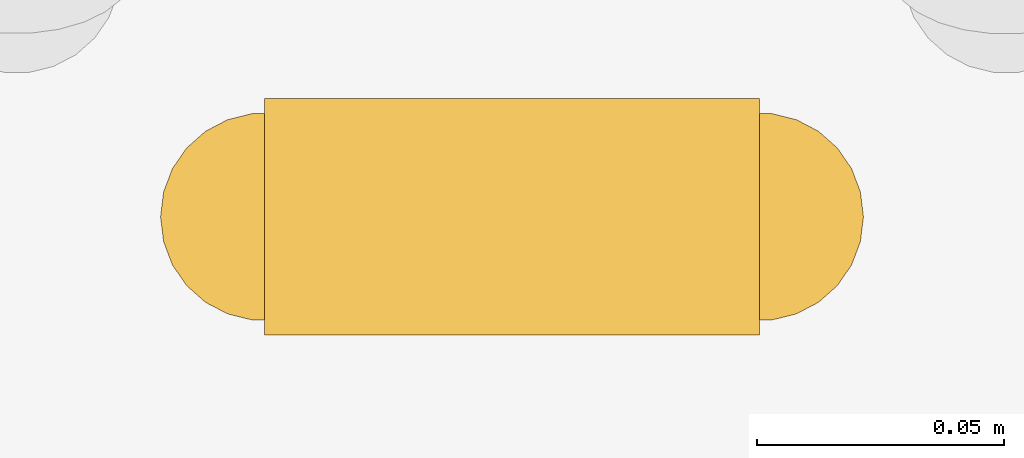
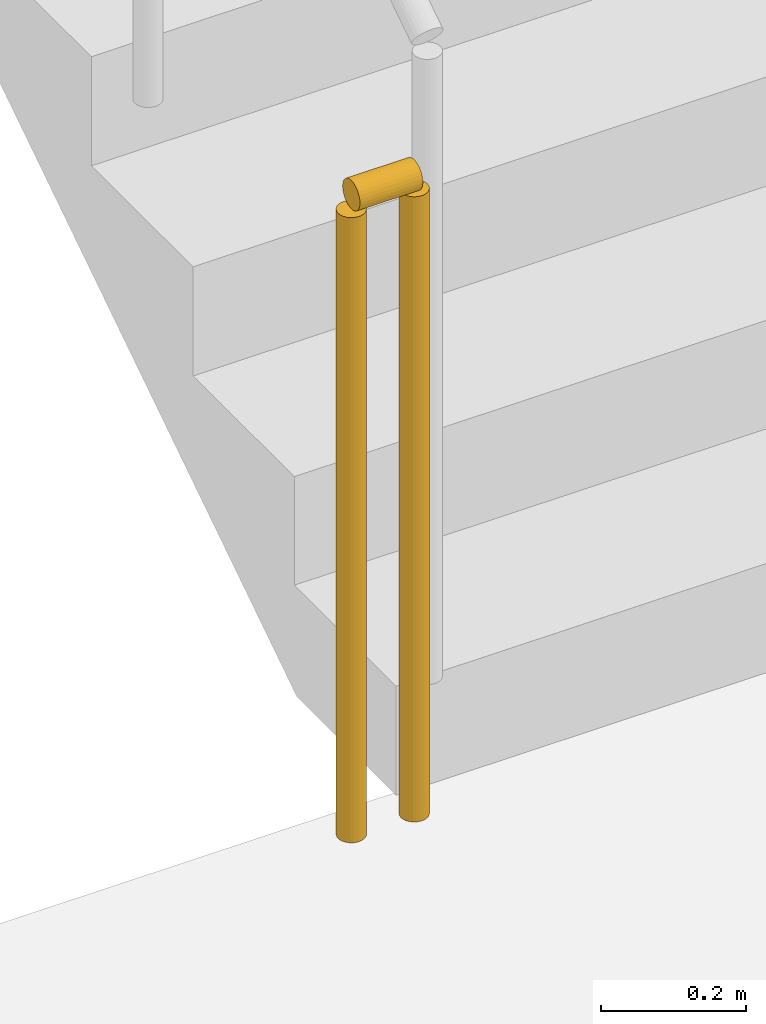
# One storey, part 18 of 21: 1 railing.
"""IFC4 building model written with IfcOpenShell, lengths in metres."""

import ifcopenshell
import ifcopenshell.guid

model = None  # the IFC model being written
_history = None  # IfcOwnerHistory: only IFC2X3 demands one
_inside = {}  # id of a spatial element -> (the spatial element, [elements in it])
_under = {}  # id of a project, library or spatial element -> (it, [spatial elements below it])
_declared = {}  # id of a project -> (the project, [libraries it declares])
_typed = {}  # id of a type object -> (the type object, [elements of that type])
_made_of = {}  # id of a material, layer set ... -> (it, [elements and type objects made of it])


def new_model(schema):
    """Start an empty IFC model of exactly this schema.

    Asked for "IFC4X3", IfcOpenShell would pick the latest addendum, in which some entities
    have other attributes; the version numbers below select the first issue.
    IFC2X3 requires an IfcOwnerHistory on every rooted entity: one is made here for all.
    """
    global model, _history
    if schema == "IFC4X3":
        model = ifcopenshell.file(schema_version=(4, 3, 0, 0))
    else:
        model = ifcopenshell.file(schema=schema)
    _inside.clear()
    _under.clear()
    _declared.clear()
    _typed.clear()
    _made_of.clear()
    _history = None
    if model.schema == "IFC2X3":
        org = make("IfcOrganization", Name="unknown")
        user = make(
            "IfcPersonAndOrganization",
            ThePerson=make("IfcPerson", FamilyName="unknown"),
            TheOrganization=org,
        )
        app = make(
            "IfcApplication",
            ApplicationDeveloper=org,
            Version="unknown",
            ApplicationFullName="unknown",
            ApplicationIdentifier="unknown",
        )
        _history = make(
            "IfcOwnerHistory",
            OwningUser=user,
            OwningApplication=app,
            ChangeAction="ADDED",
            CreationDate=0,
        )
    return model


def make(cls, **values):
    """One entity of the class cls with the attributes given. An attribute that is None is left unset."""
    return model.create_entity(
        cls, **{name: value for name, value in values.items() if value is not None}
    )


def rooted(cls, **values):
    """An entity with a GlobalId (a new one), such as an element, a storey or a relation."""
    return make(cls, GlobalId=ifcopenshell.guid.new(), OwnerHistory=_history, **values)


def si_unit(unit_type, name, prefix=None):
    """IfcSIUnit, for example si_unit("LENGTHUNIT", "METRE", prefix="MILLI")."""
    return make("IfcSIUnit", UnitType=unit_type, Prefix=prefix, Name=name)


def assignment(units):
    """IfcUnitAssignment: the units of a project."""
    return None if units is None else make("IfcUnitAssignment", Units=units)


def point(xyz):
    """IfcCartesianPoint."""
    return None if xyz is None else make("IfcCartesianPoint", Coordinates=xyz)


def direction(xyz):
    """IfcDirection."""
    return None if xyz is None else make("IfcDirection", DirectionRatios=xyz)


def frame(location, z_axis=None, x_axis=None):
    """IfcAxis2Placement3D, a coordinate frame: its origin and axes. An axis left out is left unset."""
    return make(
        "IfcAxis2Placement3D",
        Location=point(location),
        Axis=direction(z_axis),
        RefDirection=direction(x_axis),
    )


def frame_2d(location, x_axis=None):
    """IfcAxis2Placement2D, a coordinate frame in the plane: its origin and x axis."""
    return make(
        "IfcAxis2Placement2D", Location=point(location), RefDirection=direction(x_axis)
    )


def origin():
    """The frame at (0, 0, 0) with its axes left unset."""
    return frame((0.0, 0.0, 0.0))


def origin_2d():
    """The frame at (0, 0) in the plane with its x axis left unset."""
    return frame_2d((0.0, 0.0))


def place(relative_to, where):
    """IfcLocalPlacement: puts the frame where relative to a parent placement (None: the world)."""
    return make(
        "IfcLocalPlacement", PlacementRelTo=relative_to, RelativePlacement=where
    )


def context(
    kind, dimensions, precision=None, world=None, true_north=None, identifier=None
):
    """IfcGeometricRepresentationContext, for example the 3D "Model" context."""
    return make(
        "IfcGeometricRepresentationContext",
        ContextIdentifier=identifier,
        ContextType=kind,
        CoordinateSpaceDimension=dimensions,
        Precision=precision,
        WorldCoordinateSystem=world,
        TrueNorth=true_north,
    )


def subcontext(parent, identifier, kind, view, scale=None):
    """IfcGeometricRepresentationSubContext, for example "Body" below "Model"."""
    return make(
        "IfcGeometricRepresentationSubContext",
        ContextIdentifier=identifier,
        ContextType=kind,
        ParentContext=parent,
        TargetScale=scale,
        TargetView=view,
    )


def project(units=None, contexts=None):
    """IfcProject with its units and contexts."""
    return rooted(
        "IfcProject",
        Name="project",
        RepresentationContexts=contexts,
        UnitsInContext=assignment(units),
    )


def spatial(cls, under=None, at=None, **own):
    """A site, building, storey or space (cls), placed at a placement, below another one or the project."""
    s = rooted(cls, ObjectPlacement=at, **own)
    if under is not None:
        _under.setdefault(under.id(), (under, []))[1].append(s)
    return s


def profile(cls, at=None, kind="AREA", **sizes):
    """A parametric profile (cls). Its sizes go by their IFC names, for example OverallWidth=200.0."""
    return make(cls, ProfileType=kind, Position=at, **sizes)


def circle(**sizes):
    """IfcCircleProfileDef."""
    return profile("IfcCircleProfileDef", **sizes)


def extrude(swept, where, along, depth):
    """IfcExtrudedAreaSolid: the profile swept, set in the frame where, extruded along a direction by depth."""
    return make(
        "IfcExtrudedAreaSolid",
        SweptArea=swept,
        Position=where,
        ExtrudedDirection=direction(along),
        Depth=depth,
    )


def shape(context_of_items, identifier, shape_type, items):
    """IfcShapeRepresentation: the items that make up one representation, for example the "Body"."""
    return make(
        "IfcShapeRepresentation",
        ContextOfItems=context_of_items,
        RepresentationIdentifier=identifier,
        RepresentationType=shape_type,
        Items=items,
    )


def material(Name=None, Category=None):
    """IfcMaterial."""
    return make("IfcMaterial", Name=Name, Category=Category)


def made_of(thing, what):
    """Note that an element or type object is made of a material, layer set ...; save() writes the relation."""
    if what is not None:
        _made_of.setdefault(what.id(), (what, []))[1].append(thing)
    return thing


def type_object(cls, material=None, **own):
    """A type object (cls), such as IfcWallType, which elements share."""
    return made_of(rooted(cls, **own), material)


def element(
    cls,
    number,
    at=None,
    inside=None,
    cuts=None,
    type_object=None,
    material=None,
    context=None,
    identifier="Body",
    shape_type=None,
    held_by="IfcProductDefinitionShape",
    body=None,
    shapes=None,
    **own,
):
    """One element of the class cls, such as IfcWall. Its Tag is "e" and its number.

    at: its placement. inside: the storey or other place that contains it. cuts: it is an
    opening in that element (IfcRelVoidsElement). A single representation is given by context,
    identifier, shape_type and body (its items); several are given by shapes. held_by: the class
    of the entity that holds the representations. save() writes the other relations.
    """
    e = rooted(cls, Tag="e%d" % number, ObjectPlacement=at, **own)
    if body is not None:
        shapes = [shape(context, identifier, shape_type, body)]
    if shapes is not None:
        e.Representation = make(held_by, Representations=shapes)
    if inside is not None:
        _inside.setdefault(inside.id(), (inside, []))[1].append(e)
    if cuts is not None:
        rooted(
            "IfcRelVoidsElement", RelatingBuildingElement=cuts, RelatedOpeningElement=e
        )
    if type_object is not None:
        _typed.setdefault(type_object.id(), (type_object, []))[1].append(e)
    return made_of(e, material)


def aggregate(whole, parts):
    """IfcRelAggregates: a whole, such as a stair, and the parts it consists of."""
    return rooted("IfcRelAggregates", RelatingObject=whole, RelatedObjects=parts)


def save(model, path):
    """Write the relations noted so far, then the file.

    IfcRelAggregates (storeys below a building ...), IfcRelContainedInSpatialStructure (elements
    in a storey), IfcRelDefinesByType, IfcRelAssociatesMaterial and IfcRelDeclares: one each for
    every whole, place, type object, material and project.
    """
    for whole, parts in _under.values():
        aggregate(whole, parts)
    for where, things in _inside.values():
        rooted(
            "IfcRelContainedInSpatialStructure",
            RelatedElements=things,
            RelatingStructure=where,
        )
    for kind, things in _typed.values():
        rooted("IfcRelDefinesByType", RelatedObjects=things, RelatingType=kind)
    for what, things in _made_of.values():
        rooted("IfcRelAssociatesMaterial", RelatedObjects=things, RelatingMaterial=what)
    for by, libraries in _declared.values():
        rooted("IfcRelDeclares", RelatingContext=by, RelatedDefinitions=libraries)
    model.write(path)


model = new_model("IFC4")

# Units and contexts
model_context = context("Model", 3, precision=1e-05, world=origin(), true_north=direction((0.0, 1.0)))
body_context = subcontext(model_context, "Body", "Model", "MODEL_VIEW")
ifc_project = project(units=[si_unit("LENGTHUNIT", "METRE"), si_unit("AREAUNIT", "SQUARE_METRE"), si_unit("VOLUMEUNIT", "CUBIC_METRE"), si_unit("PLANEANGLEUNIT", "RADIAN"), si_unit("MASSUNIT", "GRAM", prefix="KILO")], contexts=[model_context])

# Site, building, storey
site_placement = place(None, origin())
site = spatial("IfcSite", under=ifc_project, at=site_placement, CompositionType="ELEMENT")
building_placement = place(site_placement, origin())
building = spatial("IfcBuilding", under=site, at=building_placement, Name="Spindrift Exchange Tower", CompositionType="ELEMENT")
storey_placement = place(building_placement, frame((0.0, 0.0, 9.39990234375)))
storey = spatial("IfcBuildingStorey", under=building, at=storey_placement, Name="L02", CompositionType="ELEMENT", Elevation=9.39990234375)

# Railing
ifc_material = material(Name="Steel balustrade", Category="steel")
railing_type = type_object("IfcRailingType", Name="RL-STAIR-GUARD", PredefinedType="GUARDRAIL", material=ifc_material)
railing_placement = place(storey_placement, frame((85.85009765625, 45.89990234375, 0.0)))
element("IfcRailing", 1, at=railing_placement, inside=storey, type_object=railing_type, Name="L02 ST5 stair guard 4", PredefinedType="GUARDRAIL", context=body_context, shape_type="SweptSolid", body=[
    extrude(circle(Radius=0.02392578125, at=origin_2d()), frame((0.0, 0.0, 1.076171875), z_axis=(-1.0, 0.0, 0.0), x_axis=(0.0, -1.0, 0.0)), (0.0, 0.0, 1.0), 0.10009765625),
    extrude(circle(Radius=0.02099609375, at=origin_2d()), origin(), (0.0, 0.0, 1.0), 1.052001953125),
    extrude(circle(Radius=0.02099609375, at=origin_2d()), frame((-0.10009765625, 0.0, 0.0)), (0.0, 0.0, 1.0), 1.052001953125),
])

save(model, "model.ifc")
